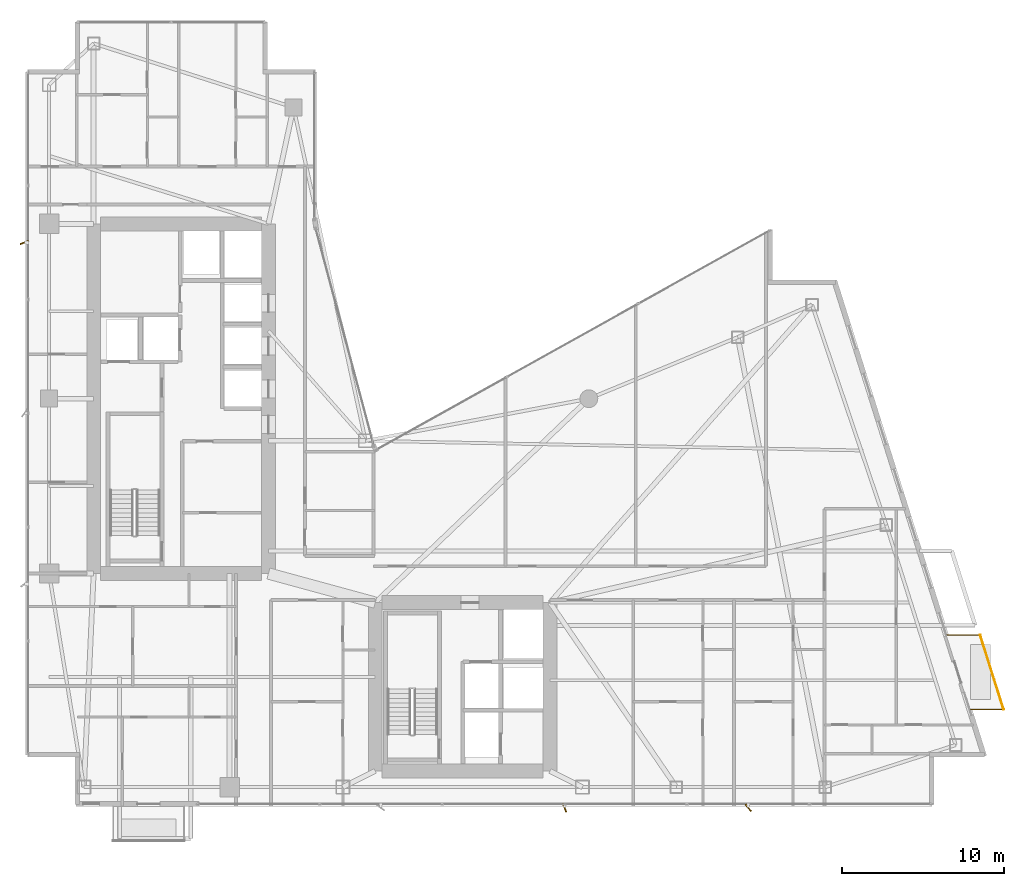
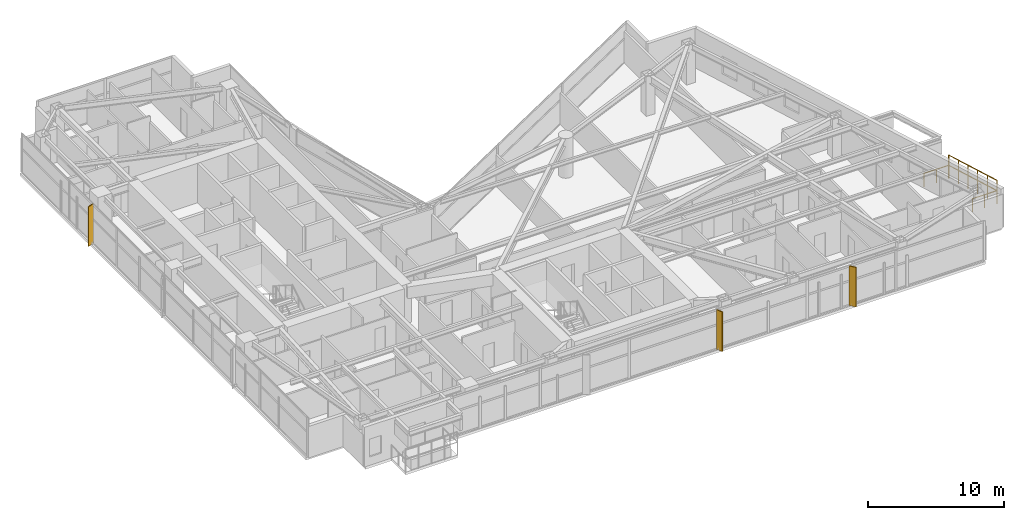
# One storey, part 29 of 29: 3 shading devices, 2 railings.
"""IFC4 building model written with IfcOpenShell, lengths in metres."""

from ifc_helpers import new_model, si_unit, direction, frame, origin, origin_2d, place, context, subcontext, project, spatial, rectangle, circle, extrude, material, type_object, element, save


model = new_model("IFC4")

# Units and contexts
model_context = context("Model", 3, precision=1e-05, world=origin(), true_north=direction((0.0, 1.0)))
body_context = subcontext(model_context, "Body", "Model", "MODEL_VIEW")
ifc_project = project(units=[si_unit("LENGTHUNIT", "METRE"), si_unit("AREAUNIT", "SQUARE_METRE"), si_unit("VOLUMEUNIT", "CUBIC_METRE"), si_unit("PLANEANGLEUNIT", "RADIAN"), si_unit("MASSUNIT", "GRAM", prefix="KILO")], contexts=[model_context])

# Site, building, storey
site_placement = place(None, origin())
site = spatial("IfcSite", under=ifc_project, at=site_placement, CompositionType="ELEMENT")
building_placement = place(site_placement, origin())
building = spatial("IfcBuilding", under=site, at=building_placement, Name="Calvorn Quay Hotel", CompositionType="ELEMENT")
storey_placement = place(building_placement, frame((0.0, 0.0, 124.0)))
storey = spatial("IfcBuildingStorey", under=building, at=storey_placement, Name="L30", CompositionType="ELEMENT", Elevation=124.0)

# Railings
ifc_material_1 = material(Name="Pale Anodised Aluminium and Laminated Glass", Category="aluminium")
railing_type = type_object("IfcRailingType", Name="RLG-BALUSTRADE-1200", PredefinedType="BALUSTRADE", material=ifc_material_1)
railing_1_placement = place(storey_placement, frame((58.327880859375, 8.39990234375, 0.0)))
element("IfcRailing", 1, at=railing_1_placement, inside=storey, type_object=railing_type, Name="Tree Balcony Perimeter Balustrade L30-BALC-E", PredefinedType="BALUSTRADE", context=body_context, shape_type="SweptSolid", body=[
    extrude(circle(Radius=0.02392578125, at=origin_2d()), frame((0.0, 0.0, 1.17578125), z_axis=(1.0, 0.0, 0.0), x_axis=(0.0, 1.0, 0.0)), (0.0, 0.0, 1.0), 2.10009765625),
    extrude(circle(Radius=0.02392578125, at=origin_2d()), frame((2.10009765625, 0.0, 1.17578125), z_axis=(-0.300620172346, 0.953743944662, 0.0), x_axis=(-0.953743944662, -0.300620172346, 0.0)), (0.0, 0.0, 1.0), 4.8232421875),
    extrude(circle(Radius=0.02392578125, at=origin_2d()), frame((0.650146484375, 4.60009765625, 1.17578125), z_axis=(-1.0, 0.0, 0.0), x_axis=(0.0, -1.0, 0.0)), (0.0, 0.0, 1.0), 2.10009765625),
    extrude(circle(Radius=0.02099609375, at=origin_2d()), origin(), (0.0, 0.0, 1.0), 1.15185546875),
    extrude(circle(Radius=0.02099609375, at=origin_2d()), frame((1.050048828125, 0.0, 0.0)), (0.0, 0.0, 1.0), 1.15185546875),
    extrude(circle(Radius=0.02099609375, at=origin_2d()), frame((2.10009765625, 0.0, 0.0)), (0.0, 0.0, 1.0), 1.15185546875),
    extrude(circle(Radius=0.02099609375, at=origin_2d()), frame((1.81005859375, 0.919921875, 0.0)), (0.0, 0.0, 1.0), 1.15185546875),
    extrude(circle(Radius=0.02099609375, at=origin_2d()), frame((1.52001953125, 1.840087890625, 0.0)), (0.0, 0.0, 1.0), 1.15185546875),
    extrude(circle(Radius=0.02099609375, at=origin_2d()), frame((1.230224609375, 2.760009765625, 0.0)), (0.0, 0.0, 1.0), 1.15185546875),
    extrude(circle(Radius=0.02099609375, at=origin_2d()), frame((0.940185546875, 3.68017578125, 0.0)), (0.0, 0.0, 1.0), 1.15185546875),
    extrude(circle(Radius=0.02099609375, at=origin_2d()), frame((0.650146484375, 4.60009765625, 0.0)), (0.0, 0.0, 1.0), 1.15185546875),
    extrude(circle(Radius=0.02099609375, at=origin_2d()), frame((-0.39990234375, 4.60009765625, 0.0)), (0.0, 0.0, 1.0), 1.15185546875),
    extrude(circle(Radius=0.02099609375, at=origin_2d()), frame((-1.449951171875, 4.60009765625, 0.0)), (0.0, 0.0, 1.0), 1.15185546875),
])
railing_2_placement = place(storey_placement, frame((60.427978515625, 8.39990234375, 0.89990234375)))
element("IfcRailing", 2, at=railing_2_placement, inside=storey, type_object=railing_type, Name="Planter Kerb High Safety Screen L30-BALC-E", PredefinedType="BALUSTRADE", context=body_context, shape_type="SweptSolid", body=[
    extrude(circle(Radius=0.02392578125, at=origin_2d()), frame((0.0, 0.0, 1.19580078125), z_axis=(-0.300620172346, 0.953743944662, 0.0), x_axis=(-0.953743944662, -0.300620172346, 0.0)), (0.0, 0.0, 1.0), 4.8232421875),
    extrude(circle(Radius=0.02099609375, at=origin_2d()), origin(), (0.0, 0.0, 1.0), 1.171875),
    extrude(circle(Radius=0.02099609375, at=origin_2d()), frame((-0.2900390625, 0.919921875, 0.0)), (0.0, 0.0, 1.0), 1.171875),
    extrude(circle(Radius=0.02099609375, at=origin_2d()), frame((-0.580078125, 1.840087890625, 0.0)), (0.0, 0.0, 1.0), 1.171875),
    extrude(circle(Radius=0.02099609375, at=origin_2d()), frame((-0.869873046875, 2.760009765625, 0.0)), (0.0, 0.0, 1.0), 1.171875),
    extrude(circle(Radius=0.02099609375, at=origin_2d()), frame((-1.159912109375, 3.68017578125, 0.0)), (0.0, 0.0, 1.0), 1.171875),
    extrude(circle(Radius=0.02099609375, at=origin_2d()), frame((-1.449951171875, 4.60009765625, 0.0)), (0.0, 0.0, 1.0), 1.171875),
])

# Shading devices
ifc_material_2 = material(Name="Champagne Bronze Anodised Aluminium 6063-T6", Category="aluminium")
shading_device_type_1 = type_object("IfcShadingDeviceType", Name="SHD-FIN-A1", PredefinedType="USERDEFINED", material=ifc_material_2)
for number, where, z_axis, x_axis, name in (
    (3, (-0.080078125, 37.25, 0.0), (0.0, 0.0, 1.0), (0.927183854567, 0.374606593416, 0.0), "Diagonal Sun-Shading Fin L30-W03"),
    (4, (33.300048828125, 2.320068359375, 0.0), (0.0, 0.0, 1.0), (-0.374606593416, 0.927183854567, 0.0), "Diagonal Sun-Shading Fin L30-S02"),
):
    element("IfcShadingDevice", number, at=place(storey_placement, frame(where, z_axis=z_axis, x_axis=x_axis)), inside=storey, type_object=shading_device_type_1, Name=name, ObjectType="FIN", PredefinedType="USERDEFINED", context=body_context, shape_type="SweptSolid", body=[
        extrude(rectangle(XDim=0.550048828125, YDim=0.080078125, at=origin_2d()), origin(), (0.0, 0.0, 1.0), 3.56005859375),
    ])
ifc_material_3 = material(Name="Champagne Bronze Anodised Aluminium 6063-T6", Category="aluminium")
shading_device_type_2 = type_object("IfcShadingDeviceType", Name="SHD-FIN-A2", PredefinedType="USERDEFINED", material=ifc_material_3)
shading_device_placement = place(storey_placement, frame((44.64990234375, 2.320068359375, 0.0), z_axis=(0.0, 0.0, 1.0), x_axis=(-0.615661475326, 0.788010753607, 0.0)))
element("IfcShadingDevice", 5, at=shading_device_placement, inside=storey, type_object=shading_device_type_2, Name="Diagonal Sun-Shading Fin L30-S03", ObjectType="FIN", PredefinedType="USERDEFINED", context=body_context, shape_type="SweptSolid", body=[
    extrude(rectangle(XDim=0.550048828125, YDim=0.080078125, at=origin_2d()), origin(), (0.0, 0.0, 1.0), 3.56005859375),
])

save(model, "model.ifc")
